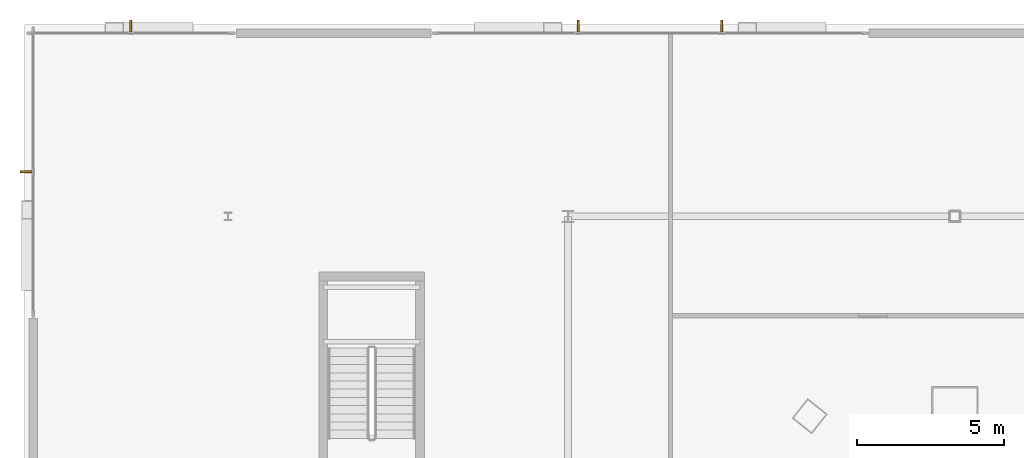
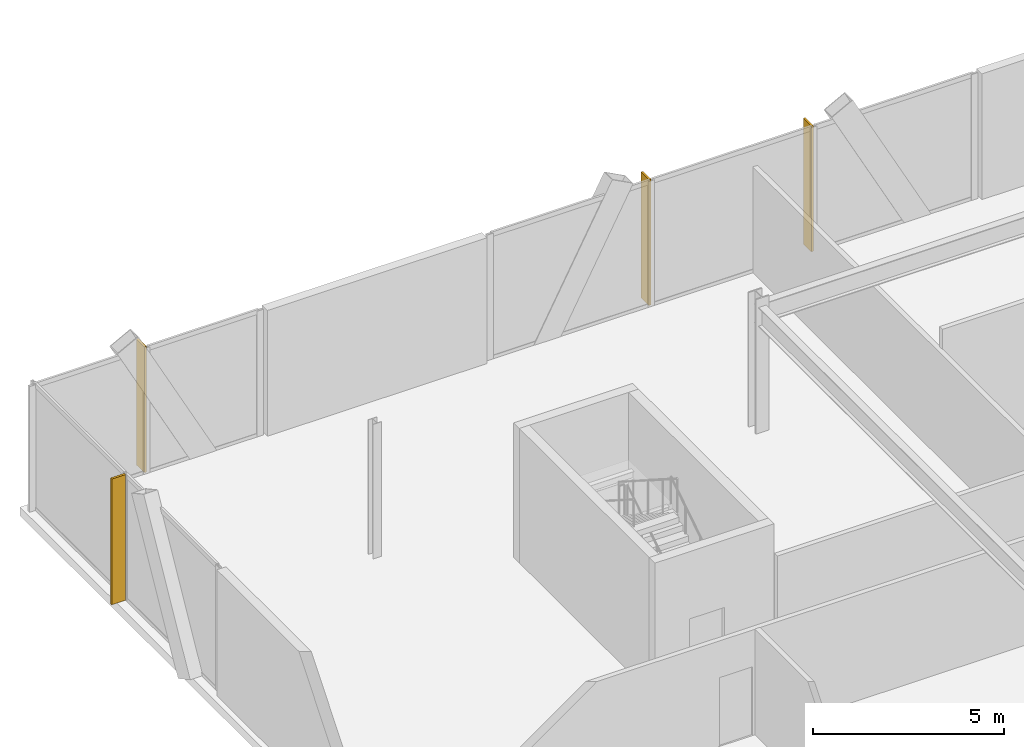
# One storey, part 41 of 42: 4 shading devices.
"""IFC4 building model written with IfcOpenShell, lengths in metres."""

from ifc_helpers import new_model, si_unit, direction, frame, origin, origin_2d, place, context, subcontext, project, spatial, rectangle, extrude, material, layer, layer_set, type_object, element, save


model = new_model("IFC4")

# Units and contexts
model_context = context("Model", 3, precision=1e-05, world=origin(), true_north=direction((0.0, 1.0)))
body_context = subcontext(model_context, "Body", "Model", "MODEL_VIEW")
ifc_project = project(units=[si_unit("LENGTHUNIT", "METRE"), si_unit("AREAUNIT", "SQUARE_METRE"), si_unit("VOLUMEUNIT", "CUBIC_METRE"), si_unit("PLANEANGLEUNIT", "RADIAN"), si_unit("MASSUNIT", "GRAM", prefix="KILO")], contexts=[model_context])

# Site, building, storey
site_placement = place(None, origin())
site = spatial("IfcSite", under=ifc_project, at=site_placement, CompositionType="ELEMENT")
building_placement = place(site_placement, origin())
building = spatial("IfcBuilding", under=site, at=building_placement, Name="Orvanel Arch Residences", CompositionType="ELEMENT")
storey_placement = place(building_placement, frame((0.0, 0.0, 9.800048828125)))
storey = spatial("IfcBuildingStorey", under=building, at=storey_placement, Name="L02", CompositionType="ELEMENT", Elevation=9.800048828125)

# Shading devices
ifc_material = material(Name="Bronze-anodised aluminium AA6063-T6", Category="aluminium")
ifc_layer = layer(ifc_material, 0.06494140625)
ifc_layer_set = layer_set([ifc_layer], Name="Bronze-anodised aluminium AA6063-T6")
shading_device_type = type_object("IfcShadingDeviceType", Name="FIN-BRZ-420", PredefinedType="USERDEFINED", material=ifc_layer_set)
for number, where, z_axis, x_axis, name in (
    (1, (25.052978515625, 54.489013671875, 0.0), (0.0, 0.0, 1.0), (0.0, 1.0, 0.0), "L02 Anodised Bronze Mullion FIN 01"),
    (2, (20.14697265625, 54.489013671875, 0.0), (0.0, 0.0, 1.0), (0.0, 1.0, 0.0), "L02 Anodised Bronze Mullion FIN 02"),
    (3, (4.885009765625, 54.489013671875, 0.0), (0.0, 0.0, 1.0), (0.0, 1.0, 0.0), "L02 Anodised Bronze Mullion FIN 01"),
    (4, (1.31005859375, 49.514892578125, 0.0), (0.0, 0.0, 1.0), (-1.0, 0.0, 0.0), "L02 Anodised Bronze Mullion FIN 01"),
):
    element("IfcShadingDevice", number, at=place(storey_placement, frame(where, z_axis=z_axis, x_axis=x_axis)), inside=storey, type_object=shading_device_type, Name=name, ObjectType="FIN", PredefinedType="USERDEFINED", context=body_context, shape_type="SweptSolid", body=[
        extrude(rectangle(XDim=0.419921875, YDim=0.06494140625, at=origin_2d()), origin(), (0.0, 0.0, 1.0), 4.02001953125),
    ])

save(model, "model.ifc")
